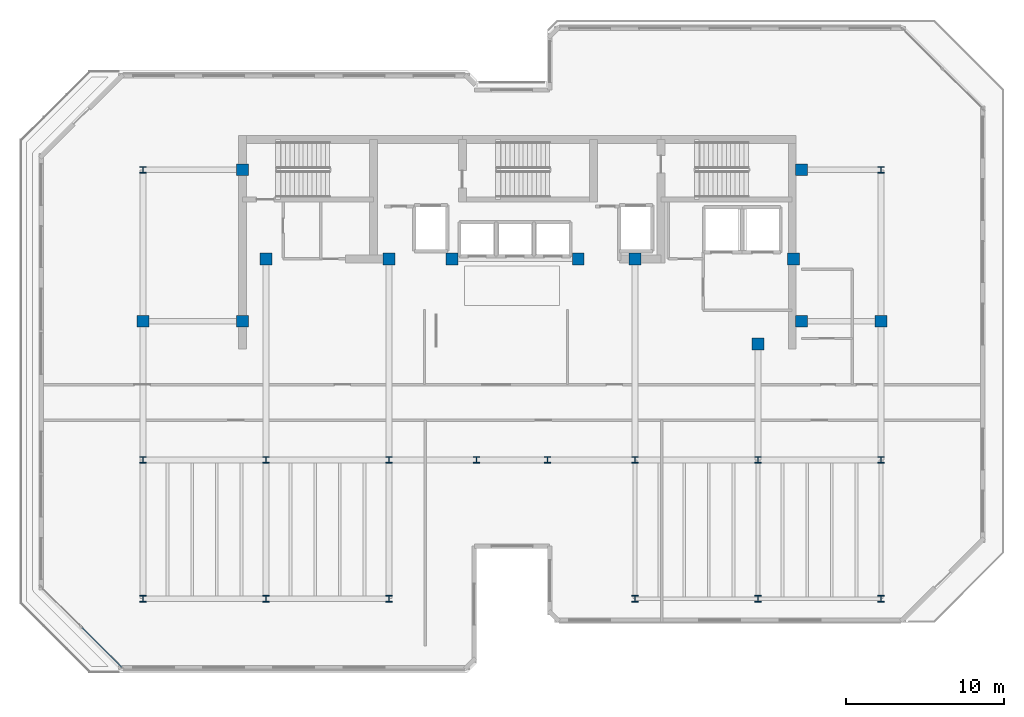
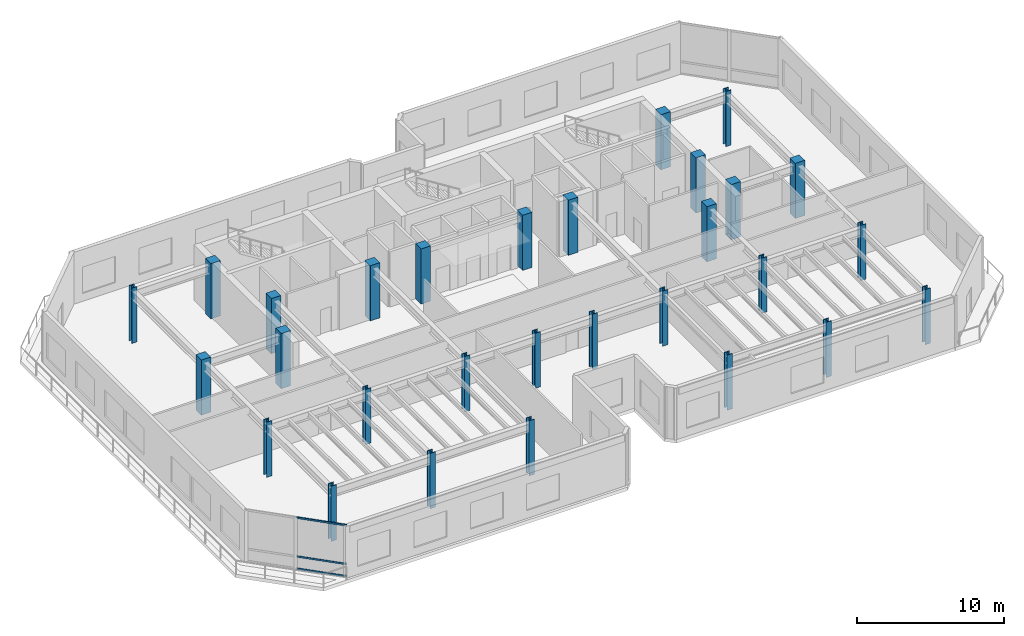
# One storey, part 1 of 14: 29 columns, 3 members, 1 element without a shape of its own.
"""IFC4 building model written with IfcOpenShell, lengths in metres."""

import ifcopenshell
import ifcopenshell.guid

model = None  # the IFC model being written
_history = None  # IfcOwnerHistory: only IFC2X3 demands one
_inside = {}  # id of a spatial element -> (the spatial element, [elements in it])
_under = {}  # id of a project, library or spatial element -> (it, [spatial elements below it])
_declared = {}  # id of a project -> (the project, [libraries it declares])
_typed = {}  # id of a type object -> (the type object, [elements of that type])
_made_of = {}  # id of a material, layer set ... -> (it, [elements and type objects made of it])


def new_model(schema):
    """Start an empty IFC model of exactly this schema.

    Asked for "IFC4X3", IfcOpenShell would pick the latest addendum, in which some entities
    have other attributes; the version numbers below select the first issue.
    IFC2X3 requires an IfcOwnerHistory on every rooted entity: one is made here for all.
    """
    global model, _history
    if schema == "IFC4X3":
        model = ifcopenshell.file(schema_version=(4, 3, 0, 0))
    else:
        model = ifcopenshell.file(schema=schema)
    _inside.clear()
    _under.clear()
    _declared.clear()
    _typed.clear()
    _made_of.clear()
    _history = None
    if model.schema == "IFC2X3":
        org = make("IfcOrganization", Name="unknown")
        user = make(
            "IfcPersonAndOrganization",
            ThePerson=make("IfcPerson", FamilyName="unknown"),
            TheOrganization=org,
        )
        app = make(
            "IfcApplication",
            ApplicationDeveloper=org,
            Version="unknown",
            ApplicationFullName="unknown",
            ApplicationIdentifier="unknown",
        )
        _history = make(
            "IfcOwnerHistory",
            OwningUser=user,
            OwningApplication=app,
            ChangeAction="ADDED",
            CreationDate=0,
        )
    return model


def make(cls, **values):
    """One entity of the class cls with the attributes given. An attribute that is None is left unset."""
    return model.create_entity(
        cls, **{name: value for name, value in values.items() if value is not None}
    )


def rooted(cls, **values):
    """An entity with a GlobalId (a new one), such as an element, a storey or a relation."""
    return make(cls, GlobalId=ifcopenshell.guid.new(), OwnerHistory=_history, **values)


def si_unit(unit_type, name, prefix=None):
    """IfcSIUnit, for example si_unit("LENGTHUNIT", "METRE", prefix="MILLI")."""
    return make("IfcSIUnit", UnitType=unit_type, Prefix=prefix, Name=name)


def assignment(units):
    """IfcUnitAssignment: the units of a project."""
    return None if units is None else make("IfcUnitAssignment", Units=units)


def point(xyz):
    """IfcCartesianPoint."""
    return None if xyz is None else make("IfcCartesianPoint", Coordinates=xyz)


def direction(xyz):
    """IfcDirection."""
    return None if xyz is None else make("IfcDirection", DirectionRatios=xyz)


def frame(location, z_axis=None, x_axis=None):
    """IfcAxis2Placement3D, a coordinate frame: its origin and axes. An axis left out is left unset."""
    return make(
        "IfcAxis2Placement3D",
        Location=point(location),
        Axis=direction(z_axis),
        RefDirection=direction(x_axis),
    )


def frame_2d(location, x_axis=None):
    """IfcAxis2Placement2D, a coordinate frame in the plane: its origin and x axis."""
    return make(
        "IfcAxis2Placement2D", Location=point(location), RefDirection=direction(x_axis)
    )


def origin():
    """The frame at (0, 0, 0) with its axes left unset."""
    return frame((0.0, 0.0, 0.0))


def origin_2d():
    """The frame at (0, 0) in the plane with its x axis left unset."""
    return frame_2d((0.0, 0.0))


def place(relative_to, where):
    """IfcLocalPlacement: puts the frame where relative to a parent placement (None: the world)."""
    return make(
        "IfcLocalPlacement", PlacementRelTo=relative_to, RelativePlacement=where
    )


def context(
    kind, dimensions, precision=None, world=None, true_north=None, identifier=None
):
    """IfcGeometricRepresentationContext, for example the 3D "Model" context."""
    return make(
        "IfcGeometricRepresentationContext",
        ContextIdentifier=identifier,
        ContextType=kind,
        CoordinateSpaceDimension=dimensions,
        Precision=precision,
        WorldCoordinateSystem=world,
        TrueNorth=true_north,
    )


def subcontext(parent, identifier, kind, view, scale=None):
    """IfcGeometricRepresentationSubContext, for example "Body" below "Model"."""
    return make(
        "IfcGeometricRepresentationSubContext",
        ContextIdentifier=identifier,
        ContextType=kind,
        ParentContext=parent,
        TargetScale=scale,
        TargetView=view,
    )


def project(units=None, contexts=None):
    """IfcProject with its units and contexts."""
    return rooted(
        "IfcProject",
        Name="project",
        RepresentationContexts=contexts,
        UnitsInContext=assignment(units),
    )


def spatial(cls, under=None, at=None, **own):
    """A site, building, storey or space (cls), placed at a placement, below another one or the project."""
    s = rooted(cls, ObjectPlacement=at, **own)
    if under is not None:
        _under.setdefault(under.id(), (under, []))[1].append(s)
    return s


def profile(cls, at=None, kind="AREA", **sizes):
    """A parametric profile (cls). Its sizes go by their IFC names, for example OverallWidth=200.0."""
    return make(cls, ProfileType=kind, Position=at, **sizes)


def rectangle(**sizes):
    """IfcRectangleProfileDef."""
    return profile("IfcRectangleProfileDef", **sizes)


def hollow_rectangle(**sizes):
    """IfcRectangleHollowProfileDef."""
    return profile("IfcRectangleHollowProfileDef", **sizes)


def i_section(**sizes):
    """IfcIShapeProfileDef."""
    return profile("IfcIShapeProfileDef", **sizes)


def extrude(swept, where, along, depth):
    """IfcExtrudedAreaSolid: the profile swept, set in the frame where, extruded along a direction by depth."""
    return make(
        "IfcExtrudedAreaSolid",
        SweptArea=swept,
        Position=where,
        ExtrudedDirection=direction(along),
        Depth=depth,
    )


def shape(context_of_items, identifier, shape_type, items):
    """IfcShapeRepresentation: the items that make up one representation, for example the "Body"."""
    return make(
        "IfcShapeRepresentation",
        ContextOfItems=context_of_items,
        RepresentationIdentifier=identifier,
        RepresentationType=shape_type,
        Items=items,
    )


def material(Name=None, Category=None):
    """IfcMaterial."""
    return make("IfcMaterial", Name=Name, Category=Category)


def layer(
    of_material, thickness, ventilated=None, Name=None, Category=None, Priority=None
):
    """IfcMaterialLayer: one layer of a wall or slab, of a material (None: an air gap)."""
    return make(
        "IfcMaterialLayer",
        Material=of_material,
        LayerThickness=thickness,
        IsVentilated=ventilated,
        Name=Name,
        Category=Category,
        Priority=Priority,
    )


def layer_set(layers, Name=None):
    """IfcMaterialLayerSet."""
    return make("IfcMaterialLayerSet", MaterialLayers=layers, LayerSetName=Name)


def material_profile(
    of_material, cross_section, Name=None, Category=None, Priority=None
):
    """IfcMaterialProfile: a cross section and its material."""
    return make(
        "IfcMaterialProfile",
        Name=Name,
        Material=of_material,
        Profile=cross_section,
        Priority=Priority,
        Category=Category,
    )


def profile_set(profiles, Name=None, composite=None):
    """IfcMaterialProfileSet."""
    return make(
        "IfcMaterialProfileSet",
        Name=Name,
        MaterialProfiles=profiles,
        CompositeProfile=composite,
    )


def made_of(thing, what):
    """Note that an element or type object is made of a material, layer set ...; save() writes the relation."""
    if what is not None:
        _made_of.setdefault(what.id(), (what, []))[1].append(thing)
    return thing


def type_object(cls, material=None, **own):
    """A type object (cls), such as IfcWallType, which elements share."""
    return made_of(rooted(cls, **own), material)


def element(
    cls,
    number,
    at=None,
    inside=None,
    cuts=None,
    type_object=None,
    material=None,
    context=None,
    identifier="Body",
    shape_type=None,
    held_by="IfcProductDefinitionShape",
    body=None,
    shapes=None,
    **own,
):
    """One element of the class cls, such as IfcWall. Its Tag is "e" and its number.

    at: its placement. inside: the storey or other place that contains it. cuts: it is an
    opening in that element (IfcRelVoidsElement). A single representation is given by context,
    identifier, shape_type and body (its items); several are given by shapes. held_by: the class
    of the entity that holds the representations. save() writes the other relations.
    """
    e = rooted(cls, Tag="e%d" % number, ObjectPlacement=at, **own)
    if body is not None:
        shapes = [shape(context, identifier, shape_type, body)]
    if shapes is not None:
        e.Representation = make(held_by, Representations=shapes)
    if inside is not None:
        _inside.setdefault(inside.id(), (inside, []))[1].append(e)
    if cuts is not None:
        rooted(
            "IfcRelVoidsElement", RelatingBuildingElement=cuts, RelatedOpeningElement=e
        )
    if type_object is not None:
        _typed.setdefault(type_object.id(), (type_object, []))[1].append(e)
    return made_of(e, material)


def aggregate(whole, parts):
    """IfcRelAggregates: a whole, such as a stair, and the parts it consists of."""
    return rooted("IfcRelAggregates", RelatingObject=whole, RelatedObjects=parts)


def save(model, path):
    """Write the relations noted so far, then the file.

    IfcRelAggregates (storeys below a building ...), IfcRelContainedInSpatialStructure (elements
    in a storey), IfcRelDefinesByType, IfcRelAssociatesMaterial and IfcRelDeclares: one each for
    every whole, place, type object, material and project.
    """
    for whole, parts in _under.values():
        aggregate(whole, parts)
    for where, things in _inside.values():
        rooted(
            "IfcRelContainedInSpatialStructure",
            RelatedElements=things,
            RelatingStructure=where,
        )
    for kind, things in _typed.values():
        rooted("IfcRelDefinesByType", RelatedObjects=things, RelatingType=kind)
    for what, things in _made_of.values():
        rooted("IfcRelAssociatesMaterial", RelatedObjects=things, RelatingMaterial=what)
    for by, libraries in _declared.values():
        rooted("IfcRelDeclares", RelatingContext=by, RelatedDefinitions=libraries)
    model.write(path)


model = new_model("IFC4")

# Units and contexts
model_context = context("Model", 3, precision=1e-05, world=origin(), true_north=direction((0.0, 1.0)))
body_context = subcontext(model_context, "Body", "Model", "MODEL_VIEW")
ifc_project = project(units=[si_unit("LENGTHUNIT", "METRE"), si_unit("AREAUNIT", "SQUARE_METRE"), si_unit("VOLUMEUNIT", "CUBIC_METRE"), si_unit("PLANEANGLEUNIT", "RADIAN"), si_unit("MASSUNIT", "GRAM", prefix="KILO")], contexts=[model_context])

# Site, building, storey
site_placement = place(None, origin())
site = spatial("IfcSite", under=ifc_project, at=site_placement, CompositionType="ELEMENT")
building_placement = place(site_placement, origin())
building = spatial("IfcBuilding", under=site, at=building_placement, Name="Kestravale Grand Hotel", CompositionType="ELEMENT")
storey_placement = place(building_placement, frame((0.0, 0.0, 297.39990234375)))
storey = spatial("IfcBuildingStorey", under=building, at=storey_placement, Name="L74", CompositionType="ELEMENT", Elevation=297.39990234375)

# Columns
ifc_material_1 = material(Name="Concrete f'c 50 MPa", Category="concrete")
ifc_material_profile_1 = material_profile(ifc_material_1, rectangle(XDim=0.75, YDim=0.75, at=origin_2d()))
ifc_profile_set_1 = profile_set([ifc_material_profile_1], Name="Concrete f'c 50 MPa")
column_type_1 = type_object("IfcColumnType", Name="C-Z4-750", PredefinedType="COLUMN", material=ifc_profile_set_1)
for number, where, z_axis, x_axis, name in (
    (1, (15.60009765625, 28.800048828125, 0.0), (0.0, 0.0, 1.0), (1.0, 0.0, 0.0), "L74 column 3-E"),
    (2, (62.39990234375, 28.800048828125, 0.0), (0.0, 0.0, 1.0), (1.0, 0.0, 0.0), "L74 column 10-E"),
    (3, (21.89990234375, 28.800048828125, 0.0), (0.0, 0.0, 1.0), (1.0, 0.0, 0.0), "L74 column CW-E"),
    (4, (21.89990234375, 38.39990234375, 0.0), (0.0, 0.0, 1.0), (1.0, 0.0, 0.0), "L74 column CW-F"),
    (5, (57.35009765625, 28.800048828125, 0.0), (0.0, 0.0, 1.0), (1.0, 0.0, 0.0), "L74 column CE-E"),
    (6, (57.35009765625, 38.39990234375, 0.0), (0.0, 0.0, 1.0), (1.0, 0.0, 0.0), "L74 column CE-F"),
    (7, (23.39990234375, 32.75, 0.0), (0.0, 0.0, 1.0), (1.0, 0.0, 0.0), "L74 column 4-CS"),
    (8, (31.199951171875, 32.75, 0.0), (0.0, 0.0, 1.0), (1.0, 0.0, 0.0), "L74 column 5-CS"),
    (9, (35.199951171875, 32.75, 0.0), (0.0, 0.0, 1.0), (1.0, 0.0, 0.0), "L74 column 6C-CS"),
    (10, (43.199951171875, 32.75, 0.0), (0.0, 0.0, 1.0), (1.0, 0.0, 0.0), "L74 column 7C-CS"),
    (11, (46.800048828125, 32.75, 0.0), (0.0, 0.0, 1.0), (1.0, 0.0, 0.0), "L74 column 8-CS"),
    (12, (54.60009765625, 27.35009765625, 0.0), (0.0, 0.0, 1.0), (1.0, 0.0, 0.0), "L74 column 9-CS"),
    (13, (56.85009765625, 32.75, 0.0), (0.0, 0.0, 1.0), (1.0, 0.0, 0.0), "L74 column 9C-CS"),
):
    element("IfcColumn", number, at=place(storey_placement, frame(where, z_axis=z_axis, x_axis=x_axis)), inside=storey, type_object=column_type_1, Name=name, PredefinedType="COLUMN", context=body_context, shape_type="SweptSolid", body=[
        extrude(rectangle(XDim=0.75, YDim=0.75, at=origin_2d()), origin(), (0.0, 0.0, 1.0), 4.60009765625),
    ])
ifc_material_2 = material(Name="Steel ASTM A992 Grade 50", Category="steel")
ifc_material_profile_2 = material_profile(ifc_material_2, i_section(OverallWidth=0.406005859375, OverallDepth=0.4169921875, WebThickness=0.02978515625, FlangeThickness=0.048095703125, FilletRadius=0.01708984375, at=origin_2d()))
ifc_profile_set_2 = profile_set([ifc_material_profile_2], Name="Steel ASTM A992 Grade 50")
column_type_2 = type_object("IfcColumnType", Name="C-Z4-W14X257", PredefinedType="COLUMN", material=ifc_profile_set_2)
for number, where, z_axis, x_axis, name in (
    (14, (15.60009765625, 11.199951171875, 0.0), (0.0, 0.0, 1.0), (1.0, 0.0, 0.0), "L74 column 3-C"),
    (15, (15.60009765625, 20.0, 0.0), (0.0, 0.0, 1.0), (1.0, 0.0, 0.0), "L74 column 3-D"),
    (16, (15.60009765625, 38.39990234375, 0.0), (0.0, 0.0, 1.0), (1.0, 0.0, 0.0), "L74 column 3-F"),
    (17, (23.39990234375, 11.199951171875, 0.0), (0.0, 0.0, 1.0), (1.0, 0.0, 0.0), "L74 column 4-C"),
    (18, (23.39990234375, 20.0, 0.0), (0.0, 0.0, 1.0), (1.0, 0.0, 0.0), "L74 column 4-D"),
    (19, (31.199951171875, 11.199951171875, 0.0), (0.0, 0.0, 1.0), (1.0, 0.0, 0.0), "L74 column 5-C"),
    (20, (31.199951171875, 20.0, 0.0), (0.0, 0.0, 1.0), (1.0, 0.0, 0.0), "L74 column 5-D"),
    (21, (36.75, 20.0, 0.0), (0.0, 0.0, 1.0), (1.0, 0.0, 0.0), "L74 column 6-D"),
    (22, (41.25, 20.0, 0.0), (0.0, 0.0, 1.0), (1.0, 0.0, 0.0), "L74 column 7-D"),
    (23, (46.800048828125, 11.199951171875, 0.0), (0.0, 0.0, 1.0), (1.0, 0.0, 0.0), "L74 column 8-C"),
    (24, (46.800048828125, 20.0, 0.0), (0.0, 0.0, 1.0), (1.0, 0.0, 0.0), "L74 column 8-D"),
    (25, (54.60009765625, 11.199951171875, 0.0), (0.0, 0.0, 1.0), (1.0, 0.0, 0.0), "L74 column 9-C"),
    (26, (54.60009765625, 20.0, 0.0), (0.0, 0.0, 1.0), (1.0, 0.0, 0.0), "L74 column 9-D"),
    (27, (62.39990234375, 11.199951171875, 0.0), (0.0, 0.0, 1.0), (1.0, 0.0, 0.0), "L74 column 10-C"),
    (28, (62.39990234375, 20.0, 0.0), (0.0, 0.0, 1.0), (1.0, 0.0, 0.0), "L74 column 10-D"),
    (29, (62.39990234375, 38.39990234375, 0.0), (0.0, 0.0, 1.0), (1.0, 0.0, 0.0), "L74 column 10-F"),
):
    element("IfcColumn", number, at=place(storey_placement, frame(where, z_axis=z_axis, x_axis=x_axis)), inside=storey, type_object=column_type_2, Name=name, PredefinedType="COLUMN", context=body_context, shape_type="SweptSolid", body=[
        extrude(i_section(OverallWidth=0.406005859375, OverallDepth=0.4169921875, WebThickness=0.02978515625, FlangeThickness=0.048095703125, FilletRadius=0.01708984375, at=origin_2d()), origin(), (0.0, 0.0, 1.0), 4.60009765625),
    ])

# Curtain wall, members
ifc_material_3 = material(Name="Thermally broken champagne-bronze aluminium and low-E glazing", Category="aluminium")
ifc_layer = layer(ifc_material_3, 0.239990234375)
ifc_layer_set = layer_set([ifc_layer], Name="CW-OBS")
curtain_wall_type = type_object("IfcCurtainWallType", Name="CW-OBS", PredefinedType="NOTDEFINED", material=ifc_layer_set)
curtain_wall_placement = place(storey_placement, origin())
curtain_wall = element("IfcCurtainWall", 30, at=curtain_wall_placement, inside=storey, type_object=curtain_wall_type, Name="L74 unitised curtain wall 20", PredefinedType="NOTDEFINED")
ifc_material_4 = material(Name="Aluminium 6063-T6 anodised", Category="aluminium")
ifc_material_profile_3 = material_profile(ifc_material_4, hollow_rectangle(XDim=0.074951171875, YDim=0.139892578125, WallThickness=0.00341796875, at=origin_2d()))
ifc_profile_set_3 = profile_set([ifc_material_profile_3], Name="Aluminium 6063-T6 anodised")
member_type = type_object("IfcMemberType", Name="CW-TRN-140", PredefinedType="USERDEFINED", material=ifc_profile_set_3)
member_1_placement = place(storey_placement, frame((11.72900390625, 9.368896484375, 0.03759765625), z_axis=(0.707140978105, -0.707072582614, 0.0), x_axis=(0.707072582614, 0.707140978105, 0.0)))
member_1 = element("IfcMember", 31, at=member_1_placement, type_object=member_type, Name="CW-OBS transom 2.1", ObjectType="TRANSOM", PredefinedType="USERDEFINED", context=body_context, shape_type="SweptSolid", body=[
    extrude(hollow_rectangle(XDim=0.074951171875, YDim=0.139892578125, WallThickness=0.00341796875, at=origin_2d()), origin(), (0.0, 0.0, 1.0), 3.569580078125),
])
member_2_placement = place(storey_placement, frame((11.72900390625, 9.368896484375, 1.050048828125), z_axis=(0.707140978105, -0.707072582614, 0.0), x_axis=(0.707072582614, 0.707140978105, 0.0)))
member_2 = element("IfcMember", 32, at=member_2_placement, type_object=member_type, Name="CW-OBS transom 2.2", ObjectType="TRANSOM", PredefinedType="USERDEFINED", context=body_context, shape_type="SweptSolid", body=[
    extrude(hollow_rectangle(XDim=0.074951171875, YDim=0.139892578125, WallThickness=0.00341796875, at=origin_2d()), origin(), (0.0, 0.0, 1.0), 3.569580078125),
])
member_3_placement = place(storey_placement, frame((11.72900390625, 9.368896484375, 4.272705078125), z_axis=(0.707140978105, -0.707072582614, 0.0), x_axis=(0.707072582614, 0.707140978105, 0.0)))
member_3 = element("IfcMember", 33, at=member_3_placement, type_object=member_type, Name="CW-OBS transom 2.3", ObjectType="TRANSOM", PredefinedType="USERDEFINED", context=body_context, shape_type="SweptSolid", body=[
    extrude(hollow_rectangle(XDim=0.074951171875, YDim=0.139892578125, WallThickness=0.00341796875, at=origin_2d()), origin(), (0.0, 0.0, 1.0), 3.569580078125),
])
aggregate(curtain_wall, [member_1, member_2, member_3])

save(model, "model.ifc")
